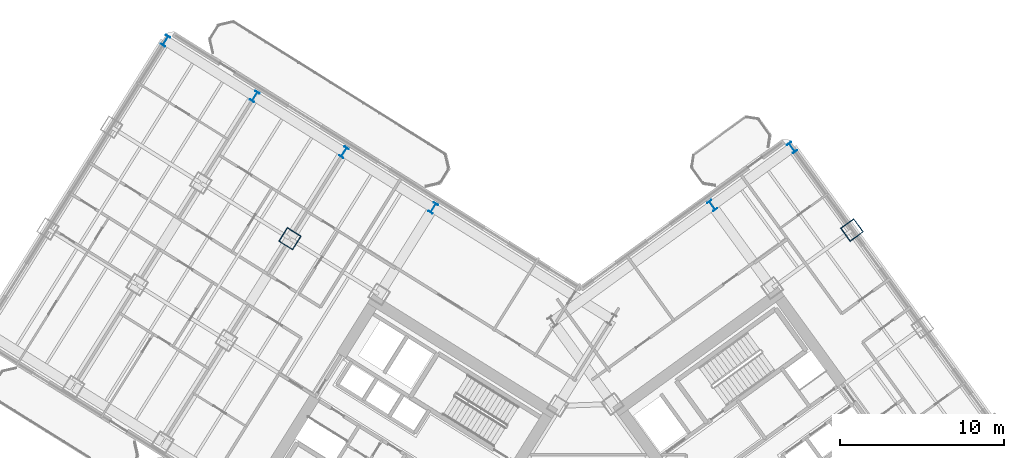
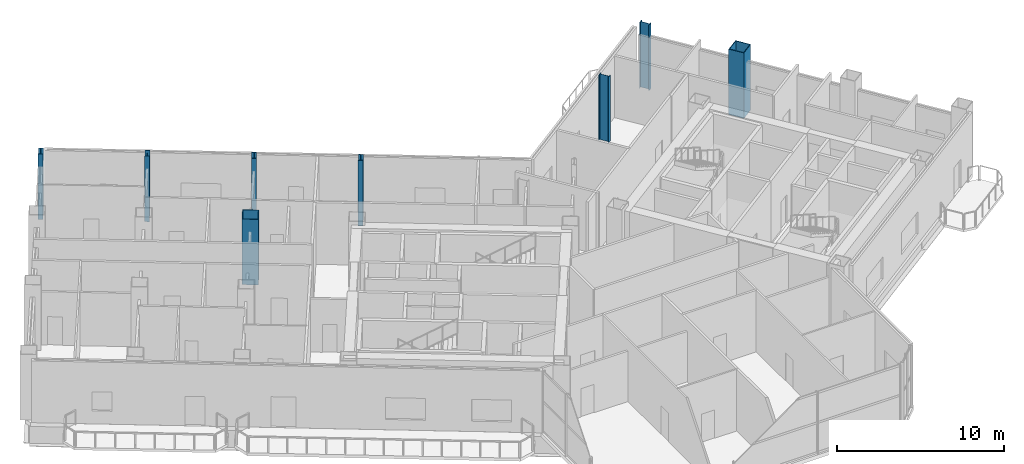
# One storey, part 3 of 22: 8 columns.
"""IFC4 building model written with IfcOpenShell, lengths in metres."""

from ifc_helpers import new_model, si_unit, direction, frame, origin, origin_2d, place, context, subcontext, project, spatial, hollow_rectangle, i_section, extrude, source, transform, mapped, material, material_profile, profile_set, type_object, element, save


model = new_model("IFC4")

# Units and contexts
model_context = context("Model", 3, precision=1e-05, world=origin(), true_north=direction((0.0, 1.0)))
body_context = subcontext(model_context, "Body", "Model", "MODEL_VIEW")
ifc_project = project(units=[si_unit("LENGTHUNIT", "METRE"), si_unit("AREAUNIT", "SQUARE_METRE"), si_unit("VOLUMEUNIT", "CUBIC_METRE"), si_unit("PLANEANGLEUNIT", "RADIAN"), si_unit("MASSUNIT", "GRAM", prefix="KILO")], contexts=[model_context])

# Site, building, storey
site_placement = place(None, origin())
site = spatial("IfcSite", under=ifc_project, at=site_placement, CompositionType="ELEMENT")
building_placement = place(site_placement, origin())
building = spatial("IfcBuilding", under=site, at=building_placement, Name="Tlacorven Tower", CompositionType="ELEMENT")
storey_placement = place(building_placement, frame((0.0, 0.0, 71.699951171875)))
storey = spatial("IfcBuildingStorey", under=building, at=storey_placement, Name="L18", CompositionType="ELEMENT", Elevation=71.699951171875)

# Columns
ifc_material = material(Name="Steel S460M", Category="steel")
ifc_material_profile_1 = material_profile(ifc_material, hollow_rectangle(XDim=1.0, YDim=1.0, WallThickness=0.0400390625, at=origin_2d()), Name="BOX 1000X1000X40")
ifc_profile_set_1 = profile_set([ifc_material_profile_1], Name="Steel S460M")
column_type_1 = type_object("IfcColumnType", Name="COL-TWR-S1", PredefinedType="COLUMN", material=ifc_profile_set_1)
shared_shape_1 = source(origin(), body_context, "Body", "SweptSolid", [
    extrude(hollow_rectangle(XDim=1.0, YDim=1.0, WallThickness=0.0400390625, at=origin_2d()), origin(), (0.0, 0.0, 1.0), 4.800048828125),
])
for number, where, z_axis, x_axis, name in (
    (1, (24.50048828125, 34.642822265625, 0.0), (0.0, 0.0, 1.0), (-0.848048096156, 0.529919264233, 0.0), "L18 column COL-L18-W4-2"),
    (2, (58.68603515625, 35.165283203125, 0.0), (0.0, 0.0, 1.0), (0.809016994375, 0.587785252292, 0.0), "L18 column COL-L18-E4-3"),
):
    element("IfcColumn", number, at=place(storey_placement, frame(where, z_axis=z_axis, x_axis=x_axis)), inside=storey, type_object=column_type_1, Name=name, PredefinedType="COLUMN", context=body_context, shape_type="MappedRepresentation", body=[
        mapped(shared_shape_1, transform((0.0, 0.0, 0.0), scale=1.0)),
    ])
ifc_material_profile_2 = material_profile(ifc_material, i_section(OverallWidth=0.300048828125, OverallDepth=0.64990234375, WebThickness=0.01611328125, FlangeThickness=0.031005859375, at=origin_2d()), Name="HEB 650")
ifc_profile_set_2 = profile_set([ifc_material_profile_2], Name="Steel S460M")
column_type_2 = type_object("IfcColumnType", Name="COL-TWR-P1", PredefinedType="COLUMN", material=ifc_profile_set_2)
shared_shape_2 = source(origin(), body_context, "Body", "SweptSolid", [
    extrude(i_section(OverallWidth=0.300048828125, OverallDepth=0.64990234375, WebThickness=0.01611328125, FlangeThickness=0.031005859375, at=origin_2d()), origin(), (0.0, 0.0, 1.0), 4.800048828125),
])
for number, where, z_axis, x_axis, name in (
    (3, (33.21337890625, 36.50927734375, 0.0), (0.0, 0.0, 1.0), (-0.848048096156, 0.529919264233, 0.0), "L18 column COL-L18-W3-1"),
    (4, (27.785888671875, 39.900634765625, 0.0), (0.0, 0.0, 1.0), (-0.848048096156, 0.529919264233, 0.0), "L18 column COL-L18-W4-1"),
    (5, (22.3583984375, 43.292236328125, 0.0), (0.0, 0.0, 1.0), (-0.848048096156, 0.529919264233, 0.0), "L18 column COL-L18-W5-1"),
    (6, (16.930908203125, 46.68359375, 0.0), (0.0, 0.0, 1.0), (-0.848048096156, 0.529919264233, 0.0), "L18 column COL-L18-W6-1"),
    (7, (50.187744140625, 36.654296875, 0.0), (0.0, 0.0, 1.0), (0.809016994375, 0.587785252292, 0.0), "L18 column COL-L18-E3-4"),
    (8, (55.041748046875, 40.18115234375, 0.0), (0.0, 0.0, 1.0), (0.809016994375, 0.587785252292, 0.0), "L18 column COL-L18-E4-4"),
):
    element("IfcColumn", number, at=place(storey_placement, frame(where, z_axis=z_axis, x_axis=x_axis)), inside=storey, type_object=column_type_2, Name=name, PredefinedType="COLUMN", context=body_context, shape_type="MappedRepresentation", body=[
        mapped(shared_shape_2, transform((0.0, 0.0, 0.0), scale=1.0)),
    ])

save(model, "model.ifc")
